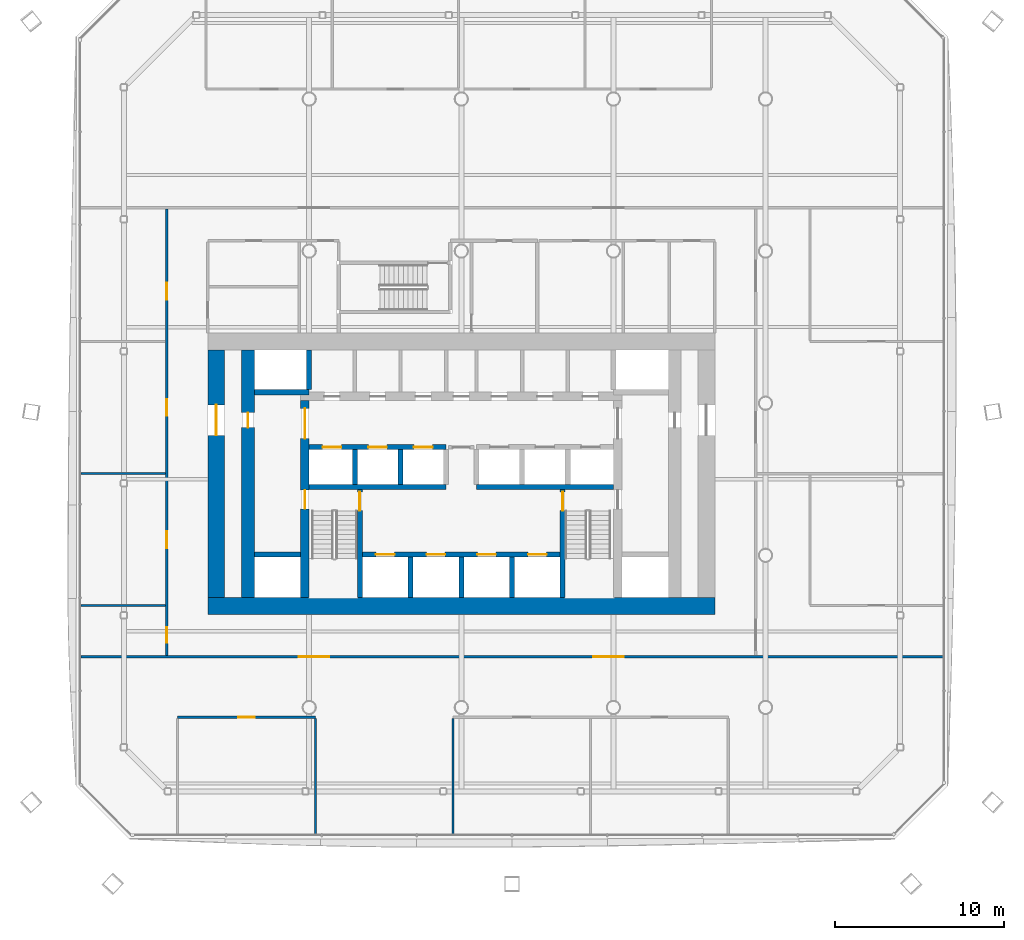
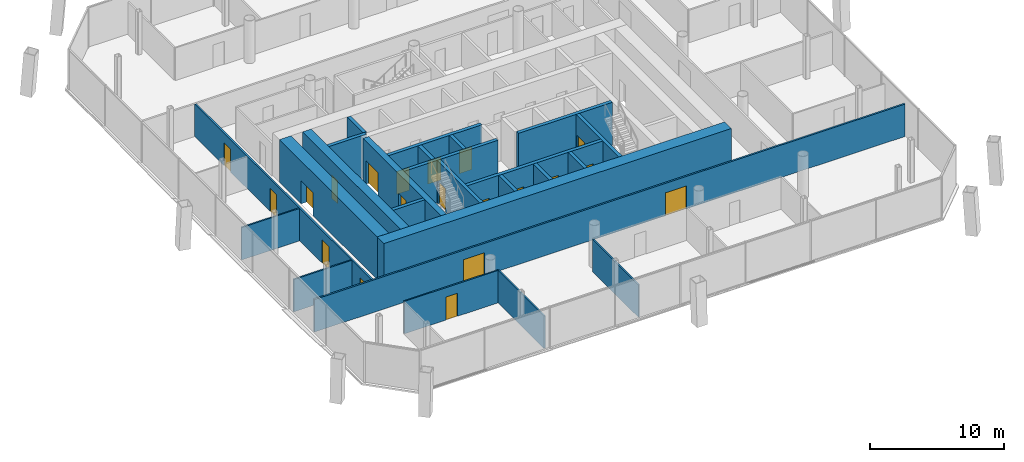
# One storey, part 12 of 20: 25 walls, 20 doors, 20 openings.
"""IFC4 building model written with IfcOpenShell, lengths in metres."""

from ifc_helpers import new_model, si_unit, direction, frame, frame_2d, origin, place, context, subcontext, project, spatial, rectangle, extrude, material, layer, layer_set, type_object, element, fill, save


model = new_model("IFC4")

# Units and contexts
model_context = context("Model", 3, precision=1e-05, world=origin(), true_north=direction((0.0, 1.0)))
body_context = subcontext(model_context, "Body", "Model", "MODEL_VIEW")
ifc_project = project(units=[si_unit("LENGTHUNIT", "METRE"), si_unit("AREAUNIT", "SQUARE_METRE"), si_unit("VOLUMEUNIT", "CUBIC_METRE"), si_unit("PLANEANGLEUNIT", "RADIAN"), si_unit("MASSUNIT", "GRAM", prefix="KILO")], contexts=[model_context])

# Site, building, storey
site_placement = place(None, origin())
site = spatial("IfcSite", under=ifc_project, at=site_placement, CompositionType="ELEMENT")
building_placement = place(site_placement, origin())
building = spatial("IfcBuilding", under=site, at=building_placement, Name="Tskaro Facet Tower", CompositionType="ELEMENT")
storey_placement = place(building_placement, frame((0.0, 0.0, 66.0)))
storey = spatial("IfcBuildingStorey", under=building, at=storey_placement, Name="L15", CompositionType="ELEMENT", Elevation=66.0)

# Wall
ifc_material_1 = material(Name="Concrete C60/75", Category="concrete")
ifc_layer_1 = layer(ifc_material_1, 0.300048828125, Name="Concrete C60/75")
ifc_layer_set_1 = layer_set([ifc_layer_1], Name="Concrete C60/75")
wall_type_1 = type_object("IfcWallType", Name="CORE-SHAFT", PredefinedType="SHEAR", material=ifc_layer_set_1)
wall_1_placement = place(storey_placement, frame((-12.25, -8.949951171875, 0.0), z_axis=(0.0, 0.0, 1.0), x_axis=(1.0, 0.0, 0.0)))
element("IfcWall", 1, at=wall_1_placement, inside=storey, type_object=wall_type_1, Name="Shaft wall W006", PredefinedType="SHEAR", context=body_context, shape_type="SweptSolid", body=[
    extrude(rectangle(XDim=2.75, YDim=0.300048828125, at=frame_2d((1.375, 0.0))), origin(), (0.0, 0.0, 1.0), 3.89990234375),
])

# Wall, openings, doors
wall_2_placement = place(storey_placement, frame((-5.85009765625, -8.949951171875, 0.0), z_axis=(0.0, 0.0, 1.0), x_axis=(1.0, 0.0, 0.0)))
wall_2 = element("IfcWall", 2, at=wall_2_placement, inside=storey, type_object=wall_type_1, Name="Shaft wall W007", PredefinedType="SHEAR", context=body_context, shape_type="SweptSolid", body=[
    extrude(rectangle(XDim=11.7001953125, YDim=0.300048828125, at=frame_2d((5.85009765625, 0.0))), origin(), (0.0, 0.0, 1.0), 3.89990234375),
])
opening_1_placement = place(wall_2_placement, frame((0.800048828125, 0.0, 0.0)))
opening_1 = element("IfcOpeningElement", 3, at=opening_1_placement, cuts=wall_2, Name="Opening LD-FF1", PredefinedType="OPENING", context=body_context, shape_type="SweptSolid", body=[
    extrude(rectangle(XDim=1.10009765625, YDim=2.10009765625, at=frame_2d((0.550048828125, 1.050048828125))), frame((0.0, 0.159912109375, 0.0), z_axis=(0.0, -1.0, 0.0), x_axis=(1.0, 0.0, 0.0)), (0.0, 0.0, 1.0), 0.320068359375),
])
opening_2_placement = place(wall_2_placement, frame((3.800048828125, 0.0, 0.0)))
opening_2 = element("IfcOpeningElement", 4, at=opening_2_placement, cuts=wall_2, Name="Opening LD-FF2", PredefinedType="OPENING", context=body_context, shape_type="SweptSolid", body=[
    extrude(rectangle(XDim=1.10009765625, YDim=2.10009765625, at=frame_2d((0.550048828125, 1.050048828125))), frame((0.0, 0.159912109375, 0.0), z_axis=(0.0, -1.0, 0.0), x_axis=(1.0, 0.0, 0.0)), (0.0, 0.0, 1.0), 0.320068359375),
])
opening_3_placement = place(wall_2_placement, frame((6.800048828125, 0.0, 0.0)))
opening_3 = element("IfcOpeningElement", 5, at=opening_3_placement, cuts=wall_2, Name="Opening LD-SV1", PredefinedType="OPENING", context=body_context, shape_type="SweptSolid", body=[
    extrude(rectangle(XDim=1.10009765625, YDim=2.10009765625, at=frame_2d((0.550048828125, 1.050048828125))), frame((0.0, 0.159912109375, 0.0), z_axis=(0.0, -1.0, 0.0), x_axis=(1.0, 0.0, 0.0)), (0.0, 0.0, 1.0), 0.320068359375),
])
opening_4_placement = place(wall_2_placement, frame((9.800048828125, 0.0, 0.0)))
opening_4 = element("IfcOpeningElement", 6, at=opening_4_placement, cuts=wall_2, Name="Opening LD-SV2", PredefinedType="OPENING", context=body_context, shape_type="SweptSolid", body=[
    extrude(rectangle(XDim=1.10009765625, YDim=2.10009765625, at=frame_2d((0.550048828125, 1.050048828125))), frame((0.0, 0.159912109375, 0.0), z_axis=(0.0, -1.0, 0.0), x_axis=(1.0, 0.0, 0.0)), (0.0, 0.0, 1.0), 0.320068359375),
])
ifc_material_2 = material(Name="Stainless steel", Category="steel")
door_type_1 = type_object("IfcDoorType", Name="D-LANDING", OperationType="NOTDEFINED", PredefinedType="DOOR", material=ifc_material_2)
door_1_placement = place(opening_1_placement, origin())
door_1 = element("IfcDoor", 7, at=door_1_placement, inside=storey, type_object=door_type_1, Name="Landing door FF1", OperationType="DOUBLE_DOOR_SLIDING", OverallHeight=2.10009765625, OverallWidth=1.10009765625, PredefinedType="DOOR", context=body_context, shape_type="SweptSolid", body=[
    extrude(rectangle(XDim=1.10009765625, YDim=2.10009765625, at=frame_2d((0.550048828125, 1.050048828125))), frame((0.0, 0.02490234375, 0.0), z_axis=(0.0, -1.0, 0.0), x_axis=(1.0, 0.0, 0.0)), (0.0, 0.0, 1.0), 0.050048828125),
])
fill(opening_1, door_1)
door_2_placement = place(opening_2_placement, origin())
door_2 = element("IfcDoor", 8, at=door_2_placement, inside=storey, type_object=door_type_1, Name="Landing door FF2", OperationType="DOUBLE_DOOR_SLIDING", OverallHeight=2.10009765625, OverallWidth=1.10009765625, PredefinedType="DOOR", context=body_context, shape_type="SweptSolid", body=[
    extrude(rectangle(XDim=1.10009765625, YDim=2.10009765625, at=frame_2d((0.550048828125, 1.050048828125))), frame((0.0, 0.02490234375, 0.0), z_axis=(0.0, -1.0, 0.0), x_axis=(1.0, 0.0, 0.0)), (0.0, 0.0, 1.0), 0.050048828125),
])
fill(opening_2, door_2)
door_3_placement = place(opening_3_placement, origin())
door_3 = element("IfcDoor", 9, at=door_3_placement, inside=storey, type_object=door_type_1, Name="Landing door SV1", OperationType="DOUBLE_DOOR_SLIDING", OverallHeight=2.10009765625, OverallWidth=1.10009765625, PredefinedType="DOOR", context=body_context, shape_type="SweptSolid", body=[
    extrude(rectangle(XDim=1.10009765625, YDim=2.10009765625, at=frame_2d((0.550048828125, 1.050048828125))), frame((0.0, 0.02490234375, 0.0), z_axis=(0.0, -1.0, 0.0), x_axis=(1.0, 0.0, 0.0)), (0.0, 0.0, 1.0), 0.050048828125),
])
fill(opening_3, door_3)
door_4_placement = place(opening_4_placement, origin())
door_4 = element("IfcDoor", 10, at=door_4_placement, inside=storey, type_object=door_type_1, Name="Landing door SV2", OperationType="DOUBLE_DOOR_SLIDING", OverallHeight=2.10009765625, OverallWidth=1.10009765625, PredefinedType="DOOR", context=body_context, shape_type="SweptSolid", body=[
    extrude(rectangle(XDim=1.10009765625, YDim=2.10009765625, at=frame_2d((0.550048828125, 1.050048828125))), frame((0.0, 0.02490234375, 0.0), z_axis=(0.0, -1.0, 0.0), x_axis=(1.0, 0.0, 0.0)), (0.0, 0.0, 1.0), 0.050048828125),
])
fill(opening_4, door_4)

# Walls
for number, where, z_axis, x_axis, name in (
    (11, (-9.0, -4.949951171875, 0.0), (0.0, 0.0, 1.0), (1.0, 0.0, 0.0), "Shaft wall W009"),
    (12, (0.89990234375, -4.949951171875, 0.0), (0.0, 0.0, 1.0), (1.0, 0.0, 0.0), "Shaft wall W010"),
):
    element("IfcWall", number, at=place(storey_placement, frame(where, z_axis=z_axis, x_axis=x_axis)), inside=storey, type_object=wall_type_1, Name=name, PredefinedType="SHEAR", context=body_context, shape_type="SweptSolid", body=[
        extrude(rectangle(XDim=8.10009765625, YDim=0.300048828125, at=frame_2d((4.050048828125, 0.0))), origin(), (0.0, 0.0, 1.0), 3.89990234375),
    ])

# Wall, openings, doors
wall_3_placement = place(storey_placement, frame((-9.0, -2.60009765625, 0.0), z_axis=(0.0, 0.0, 1.0), x_axis=(1.0, 0.0, 0.0)))
wall_3 = element("IfcWall", 13, at=wall_3_placement, inside=storey, type_object=wall_type_1, Name="Shaft wall W013", PredefinedType="SHEAR", context=body_context, shape_type="SweptSolid", body=[
    extrude(rectangle(XDim=8.10009765625, YDim=0.300048828125, at=frame_2d((4.050048828125, 0.0))), origin(), (0.0, 0.0, 1.0), 3.89990234375),
])
opening_5_placement = place(wall_3_placement, frame((0.800048828125, 0.0, 0.0)))
opening_5 = element("IfcOpeningElement", 14, at=opening_5_placement, cuts=wall_3, Name="Opening LD-LR1", PredefinedType="OPENING", context=body_context, shape_type="SweptSolid", body=[
    extrude(rectangle(XDim=1.10009765625, YDim=2.10009765625, at=frame_2d((0.550048828125, 1.050048828125))), frame((0.0, 0.159912109375, 0.0), z_axis=(0.0, -1.0, 0.0), x_axis=(1.0, 0.0, 0.0)), (0.0, 0.0, 1.0), 0.320068359375),
])
opening_6_placement = place(wall_3_placement, frame((3.5, 0.0, 0.0)))
opening_6 = element("IfcOpeningElement", 15, at=opening_6_placement, cuts=wall_3, Name="Opening LD-LR2", PredefinedType="OPENING", context=body_context, shape_type="SweptSolid", body=[
    extrude(rectangle(XDim=1.10009765625, YDim=2.10009765625, at=frame_2d((0.550048828125, 1.050048828125))), frame((0.0, 0.159912109375, 0.0), z_axis=(0.0, -1.0, 0.0), x_axis=(1.0, 0.0, 0.0)), (0.0, 0.0, 1.0), 0.320068359375),
])
opening_7_placement = place(wall_3_placement, frame((6.199951171875, 0.0, 0.0)))
opening_7 = element("IfcOpeningElement", 16, at=opening_7_placement, cuts=wall_3, Name="Opening LD-LR3", PredefinedType="OPENING", context=body_context, shape_type="SweptSolid", body=[
    extrude(rectangle(XDim=1.10009765625, YDim=2.10009765625, at=frame_2d((0.550048828125, 1.050048828125))), frame((0.0, 0.159912109375, 0.0), z_axis=(0.0, -1.0, 0.0), x_axis=(1.0, 0.0, 0.0)), (0.0, 0.0, 1.0), 0.320068359375),
])
door_5_placement = place(opening_5_placement, origin())
door_5 = element("IfcDoor", 17, at=door_5_placement, inside=storey, type_object=door_type_1, Name="Landing door LR1", OperationType="DOUBLE_DOOR_SLIDING", OverallHeight=2.10009765625, OverallWidth=1.10009765625, PredefinedType="DOOR", context=body_context, shape_type="SweptSolid", body=[
    extrude(rectangle(XDim=1.10009765625, YDim=2.10009765625, at=frame_2d((0.550048828125, 1.050048828125))), frame((0.0, 0.02490234375, 0.0), z_axis=(0.0, -1.0, 0.0), x_axis=(1.0, 0.0, 0.0)), (0.0, 0.0, 1.0), 0.050048828125),
])
fill(opening_5, door_5)
door_6_placement = place(opening_6_placement, origin())
door_6 = element("IfcDoor", 18, at=door_6_placement, inside=storey, type_object=door_type_1, Name="Landing door LR2", OperationType="DOUBLE_DOOR_SLIDING", OverallHeight=2.10009765625, OverallWidth=1.10009765625, PredefinedType="DOOR", context=body_context, shape_type="SweptSolid", body=[
    extrude(rectangle(XDim=1.10009765625, YDim=2.10009765625, at=frame_2d((0.550048828125, 1.050048828125))), frame((0.0, 0.02490234375, 0.0), z_axis=(0.0, -1.0, 0.0), x_axis=(1.0, 0.0, 0.0)), (0.0, 0.0, 1.0), 0.050048828125),
])
fill(opening_6, door_6)
door_7_placement = place(opening_7_placement, origin())
door_7 = element("IfcDoor", 19, at=door_7_placement, inside=storey, type_object=door_type_1, Name="Landing door LR3", OperationType="DOUBLE_DOOR_SLIDING", OverallHeight=2.10009765625, OverallWidth=1.10009765625, PredefinedType="DOOR", context=body_context, shape_type="SweptSolid", body=[
    extrude(rectangle(XDim=1.10009765625, YDim=2.10009765625, at=frame_2d((0.550048828125, 1.050048828125))), frame((0.0, 0.02490234375, 0.0), z_axis=(0.0, -1.0, 0.0), x_axis=(1.0, 0.0, 0.0)), (0.0, 0.0, 1.0), 0.050048828125),
])
fill(opening_7, door_7)

# Walls
wall_4_placement = place(storey_placement, frame((-9.0, 0.64990234375, 0.0), z_axis=(0.0, 0.0, 1.0), x_axis=(-1.0, 0.0, 0.0)))
element("IfcWall", 20, at=wall_4_placement, inside=storey, type_object=wall_type_1, Name="Shaft wall W016", PredefinedType="SHEAR", context=body_context, shape_type="SweptSolid", body=[
    extrude(rectangle(XDim=3.25, YDim=0.300048828125, at=frame_2d((1.625, 0.0))), origin(), (0.0, 0.0, 1.0), 3.89990234375),
])
wall_5_placement = place(storey_placement, frame((-9.0, 0.800048828125, 0.0), z_axis=(0.0, 0.0, 1.0), x_axis=(0.0, 1.0, 0.0)))
element("IfcWall", 21, at=wall_5_placement, inside=storey, type_object=wall_type_1, Name="Shaft wall W033", PredefinedType="SHEAR", context=body_context, shape_type="SweptSolid", body=[
    extrude(rectangle(XDim=2.349853515625, YDim=0.300048828125, at=frame_2d((1.1748046875, 0.0))), origin(), (0.0, 0.0, 1.0), 3.89990234375),
])
wall_6_placement = place(storey_placement, frame((-6.300048828125, -4.800048828125, 0.0), z_axis=(0.0, 0.0, 1.0), x_axis=(0.0, 1.0, 0.0)))
element("IfcWall", 22, at=wall_6_placement, inside=storey, type_object=wall_type_1, Name="Shaft wall W039", PredefinedType="SHEAR", context=body_context, shape_type="SweptSolid", body=[
    extrude(rectangle(XDim=2.050048828125, YDim=0.300048828125, at=frame_2d((1.02490234375, 0.0))), origin(), (0.0, 0.0, 1.0), 3.89990234375),
])

# Wall, opening, door
wall_7_placement = place(storey_placement, frame((-6.0, -11.5, 0.0), z_axis=(0.0, 0.0, 1.0), x_axis=(0.0, 1.0, 0.0)))
wall_7 = element("IfcWall", 23, at=wall_7_placement, inside=storey, type_object=wall_type_1, Name="Shaft wall W041", PredefinedType="SHEAR", context=body_context, shape_type="SweptSolid", body=[
    extrude(rectangle(XDim=6.39990234375, YDim=0.300048828125, at=frame_2d((3.199951171875, 0.0))), origin(), (0.0, 0.0, 1.0), 3.89990234375),
])
opening_8_placement = place(wall_7_placement, frame((5.14990234375, 0.0, 0.0)))
opening_8 = element("IfcOpeningElement", 24, at=opening_8_placement, cuts=wall_7, Name="Opening ST-1-D1", PredefinedType="OPENING", context=body_context, shape_type="SweptSolid", body=[
    extrude(rectangle(XDim=1.10009765625, YDim=2.10009765625, at=frame_2d((0.550048828125, 1.050048828125))), frame((0.0, 0.159912109375, 0.0), z_axis=(0.0, -1.0, 0.0), x_axis=(1.0, 0.0, 0.0)), (0.0, 0.0, 1.0), 0.320068359375),
])
ifc_material_3 = material(Name="Steel", Category="steel")
door_type_2 = type_object("IfcDoorType", Name="D-STAIR", OperationType="NOTDEFINED", PredefinedType="DOOR", material=ifc_material_3)
door_8_placement = place(opening_8_placement, origin())
door_8 = element("IfcDoor", 25, at=door_8_placement, inside=storey, type_object=door_type_2, Name="Stair door 1", OperationType="SINGLE_SWING_LEFT", OverallHeight=2.10009765625, OverallWidth=1.10009765625, PredefinedType="DOOR", context=body_context, shape_type="SweptSolid", body=[
    extrude(rectangle(XDim=1.10009765625, YDim=2.10009765625, at=frame_2d((0.550048828125, 1.050048828125))), frame((0.0, 0.02490234375, 0.0), z_axis=(0.0, -1.0, 0.0), x_axis=(1.0, 0.0, 0.0)), (0.0, 0.0, 1.0), 0.050048828125),
])
fill(opening_8, door_8)

# Walls
wall_8_placement = place(storey_placement, frame((-3.60009765625, -4.800048828125, 0.0), z_axis=(0.0, 0.0, 1.0), x_axis=(0.0, 1.0, 0.0)))
element("IfcWall", 26, at=wall_8_placement, inside=storey, type_object=wall_type_1, Name="Shaft wall W042", PredefinedType="SHEAR", context=body_context, shape_type="SweptSolid", body=[
    extrude(rectangle(XDim=2.050048828125, YDim=0.300048828125, at=frame_2d((1.02490234375, 0.0))), origin(), (0.0, 0.0, 1.0), 3.89990234375),
])
for number, where, z_axis, x_axis, name in (
    (27, (-3.0, -11.5, 0.0), (0.0, 0.0, 1.0), (0.0, 1.0, 0.0), "Shaft wall W044"),
    (28, (0.0, -11.5, 0.0), (0.0, 0.0, 1.0), (0.0, 1.0, 0.0), "Shaft wall W051"),
    (29, (3.0, -11.5, 0.0), (0.0, 0.0, 1.0), (0.0, 1.0, 0.0), "Shaft wall W055"),
):
    element("IfcWall", number, at=place(storey_placement, frame(where, z_axis=z_axis, x_axis=x_axis)), inside=storey, type_object=wall_type_1, Name=name, PredefinedType="SHEAR", context=body_context, shape_type="SweptSolid", body=[
        extrude(rectangle(XDim=2.39990234375, YDim=0.300048828125, at=frame_2d((1.199951171875, 0.0))), origin(), (0.0, 0.0, 1.0), 3.89990234375),
    ])

# Wall, opening, door
wall_9_placement = place(storey_placement, frame((6.0, -5.10009765625, 0.0), z_axis=(0.0, 0.0, 1.0), x_axis=(0.0, -1.0, 0.0)))
wall_9 = element("IfcWall", 30, at=wall_9_placement, inside=storey, type_object=wall_type_1, Name="Shaft wall W059", PredefinedType="SHEAR", context=body_context, shape_type="SweptSolid", body=[
    extrude(rectangle(XDim=6.39990234375, YDim=0.300048828125, at=frame_2d((3.199951171875, 0.0))), origin(), (0.0, 0.0, 1.0), 3.89990234375),
])
opening_9_placement = place(wall_9_placement, frame((0.14990234375, 0.0, 0.0)))
opening_9 = element("IfcOpeningElement", 31, at=opening_9_placement, cuts=wall_9, Name="Opening ST-2-D1", PredefinedType="OPENING", context=body_context, shape_type="SweptSolid", body=[
    extrude(rectangle(XDim=1.10009765625, YDim=2.10009765625, at=frame_2d((0.550048828125, 1.050048828125))), frame((0.0, 0.159912109375, 0.0), z_axis=(0.0, -1.0, 0.0), x_axis=(1.0, 0.0, 0.0)), (0.0, 0.0, 1.0), 0.320068359375),
])
door_9_placement = place(opening_9_placement, origin())
door_9 = element("IfcDoor", 32, at=door_9_placement, inside=storey, type_object=door_type_2, Name="Stair door 2", OperationType="SINGLE_SWING_RIGHT", OverallHeight=2.10009765625, OverallWidth=1.10009765625, PredefinedType="DOOR", context=body_context, shape_type="SweptSolid", body=[
    extrude(rectangle(XDim=1.10009765625, YDim=2.10009765625, at=frame_2d((0.550048828125, 1.050048828125))), frame((0.0, 0.02490234375, 0.0), z_axis=(0.0, -1.0, 0.0), x_axis=(1.0, 0.0, 0.0)), (0.0, 0.0, 1.0), 0.050048828125),
])
fill(opening_9, door_9)

# Wall
ifc_layer_2 = layer(ifc_material_1, 1.0, Name="Concrete C60/75")
ifc_layer_set_2 = layer_set([ifc_layer_2], Name="Concrete C60/75")
wall_type_2 = type_object("IfcWallType", Name="Core wall 1000", PredefinedType="SHEAR", material=ifc_layer_set_2)
wall_10_placement = place(storey_placement, frame((-15.0, -12.0, 0.0), z_axis=(0.0, 0.0, 1.0), x_axis=(1.0, 0.0, 0.0)))
element("IfcWall", 33, at=wall_10_placement, inside=storey, type_object=wall_type_2, Name="Core wall CW-Z1S", PredefinedType="SHEAR", context=body_context, shape_type="SweptSolid", body=[
    extrude(rectangle(XDim=30.0, YDim=1.0, at=frame_2d((15.0, 0.0))), origin(), (0.0, 0.0, 1.0), 3.89990234375),
])

# Wall, opening, door
wall_11_placement = place(storey_placement, frame((-14.5, -11.5, 0.0), z_axis=(0.0, 0.0, 1.0), x_axis=(0.0, 1.0, 0.0)))
wall_11 = element("IfcWall", 34, at=wall_11_placement, inside=storey, type_object=wall_type_2, Name="Core wall CW-Z1W", PredefinedType="SHEAR", context=body_context, shape_type="SweptSolid", body=[
    extrude(rectangle(XDim=14.64990234375, YDim=1.0, at=frame_2d((7.324951171875, 0.0))), origin(), (0.0, 0.0, 1.0), 3.89990234375),
])
opening_10_placement = place(wall_11_placement, frame((9.60009765625, 0.0, 0.0)))
opening_10 = element("IfcOpeningElement", 35, at=opening_10_placement, cuts=wall_11, Name="Opening T4-D15", PredefinedType="OPENING", context=body_context, shape_type="SweptSolid", body=[
    extrude(rectangle(XDim=1.800048828125, YDim=2.10009765625, at=frame_2d((0.89990234375, 1.050048828125))), frame((0.0, 0.510009765625, 0.0), z_axis=(0.0, -1.0, 0.0), x_axis=(1.0, 0.0, 0.0)), (0.0, 0.0, 1.0), 1.02001953125),
])
door_type_3 = type_object("IfcDoorType", Name="D-CORE-PAIR", OperationType="NOTDEFINED", PredefinedType="DOOR", material=ifc_material_3)
door_10_placement = place(opening_10_placement, origin())
door_10 = element("IfcDoor", 36, at=door_10_placement, inside=storey, type_object=door_type_3, Name="Door T4-D15", OperationType="DOUBLE_DOOR_SINGLE_SWING", OverallHeight=2.10009765625, OverallWidth=1.800048828125, PredefinedType="DOOR", context=body_context, shape_type="SweptSolid", body=[
    extrude(rectangle(XDim=1.800048828125, YDim=2.10009765625, at=frame_2d((0.89990234375, 1.050048828125))), frame((0.0, 0.02490234375, 0.0), z_axis=(0.0, -1.0, 0.0), x_axis=(1.0, 0.0, 0.0)), (0.0, 0.0, 1.0), 0.050048828125),
])
fill(opening_10, door_10)

# Wall, openings, doors
ifc_material_4 = material(Name="Concrete C40/50", Category="concrete")
ifc_layer_3 = layer(ifc_material_4, 0.5, Name="Concrete C40/50")
ifc_layer_set_3 = layer_set([ifc_layer_3], Name="Concrete C40/50")
wall_type_3 = type_object("IfcWallType", Name="Core wall 500", PredefinedType="SHEAR", material=ifc_layer_set_3)
wall_12_placement = place(storey_placement, frame((-9.25, -11.5, 0.0), z_axis=(0.0, 0.0, 1.0), x_axis=(0.0, 1.0, 0.0)))
wall_12 = element("IfcWall", 37, at=wall_12_placement, inside=storey, type_object=wall_type_3, Name="Core wall CW-Z3W", PredefinedType="SHEAR", context=body_context, shape_type="SweptSolid", body=[
    extrude(rectangle(XDim=11.64990234375, YDim=0.5, at=frame_2d((5.824951171875, 0.0))), origin(), (0.0, 0.0, 1.0), 3.89990234375),
])
opening_11_placement = place(wall_12_placement, frame((9.39990234375, 0.0, 0.0)))
opening_11 = element("IfcOpeningElement", 38, at=opening_11_placement, cuts=wall_12, Name="Opening T4-D13", PredefinedType="OPENING", context=body_context, shape_type="SweptSolid", body=[
    extrude(rectangle(XDim=1.800048828125, YDim=2.10009765625, at=frame_2d((0.89990234375, 1.050048828125))), frame((0.0, 0.260009765625, 0.0), z_axis=(0.0, -1.0, 0.0), x_axis=(1.0, 0.0, 0.0)), (0.0, 0.0, 1.0), 0.52001953125),
])
opening_12_placement = place(wall_12_placement, frame((5.25, 0.0, 0.0)))
opening_12 = element("IfcOpeningElement", 39, at=opening_12_placement, cuts=wall_12, Name="Opening ST-1-D2", PredefinedType="OPENING", context=body_context, shape_type="SweptSolid", body=[
    extrude(rectangle(XDim=1.10009765625, YDim=2.10009765625, at=frame_2d((0.550048828125, 1.050048828125))), frame((0.0, 0.260009765625, 0.0), z_axis=(0.0, -1.0, 0.0), x_axis=(1.0, 0.0, 0.0)), (0.0, 0.0, 1.0), 0.52001953125),
])
door_11_placement = place(opening_11_placement, origin())
door_11 = element("IfcDoor", 40, at=door_11_placement, inside=storey, type_object=door_type_3, Name="Door T4-D13", OperationType="DOUBLE_DOOR_SINGLE_SWING", OverallHeight=2.10009765625, OverallWidth=1.800048828125, PredefinedType="DOOR", context=body_context, shape_type="SweptSolid", body=[
    extrude(rectangle(XDim=1.800048828125, YDim=2.10009765625, at=frame_2d((0.89990234375, 1.050048828125))), frame((0.0, 0.02490234375, 0.0), z_axis=(0.0, -1.0, 0.0), x_axis=(1.0, 0.0, 0.0)), (0.0, 0.0, 1.0), 0.050048828125),
])
fill(opening_11, door_11)
door_12_placement = place(opening_12_placement, origin())
door_12 = element("IfcDoor", 41, at=door_12_placement, inside=storey, type_object=door_type_2, Name="Stair door 1 west", OperationType="SINGLE_SWING_LEFT", OverallHeight=2.10009765625, OverallWidth=1.10009765625, PredefinedType="DOOR", context=body_context, shape_type="SweptSolid", body=[
    extrude(rectangle(XDim=1.10009765625, YDim=2.10009765625, at=frame_2d((0.550048828125, 1.050048828125))), frame((0.0, 0.02490234375, 0.0), z_axis=(0.0, -1.0, 0.0), x_axis=(1.0, 0.0, 0.0)), (0.0, 0.0, 1.0), 0.050048828125),
])
fill(opening_12, door_12)

# Wall, opening, door
ifc_material_5 = material(Name="Concrete C50/60", Category="concrete")
ifc_layer_4 = layer(ifc_material_5, 0.75, Name="Concrete C50/60")
ifc_layer_set_4 = layer_set([ifc_layer_4], Name="Concrete C50/60")
wall_type_4 = type_object("IfcWallType", Name="Core wall 750", PredefinedType="SHEAR", material=ifc_layer_set_4)
wall_13_placement = place(storey_placement, frame((-12.625, -11.5, 0.0), z_axis=(0.0, 0.0, 1.0), x_axis=(0.0, 1.0, 0.0)))
wall_13 = element("IfcWall", 42, at=wall_13_placement, inside=storey, type_object=wall_type_4, Name="Core wall CW-Z2W", PredefinedType="SHEAR", context=body_context, shape_type="SweptSolid", body=[
    extrude(rectangle(XDim=14.64990234375, YDim=0.75, at=frame_2d((7.324951171875, 0.0))), origin(), (0.0, 0.0, 1.0), 3.89990234375),
])
opening_13_placement = place(wall_13_placement, frame((10.050048828125, 0.0, 0.0)))
opening_13 = element("IfcOpeningElement", 43, at=opening_13_placement, cuts=wall_13, Name="Opening T4-D16", PredefinedType="OPENING", context=body_context, shape_type="SweptSolid", body=[
    extrude(rectangle(XDim=0.89990234375, YDim=2.10009765625, at=frame_2d((0.449951171875, 1.050048828125))), frame((0.0, 0.385009765625, 0.0), z_axis=(0.0, -1.0, 0.0), x_axis=(1.0, 0.0, 0.0)), (0.0, 0.0, 1.0), 0.77001953125),
])
ifc_material_6 = material(Name="Timber", Category="wood")
door_type_4 = type_object("IfcDoorType", Name="D-ROOM", OperationType="NOTDEFINED", PredefinedType="DOOR", material=ifc_material_6)
door_13_placement = place(opening_13_placement, origin())
door_13 = element("IfcDoor", 44, at=door_13_placement, inside=storey, type_object=door_type_4, Name="Door T4-D16", OperationType="SINGLE_SWING_LEFT", OverallHeight=2.10009765625, OverallWidth=0.89990234375, PredefinedType="DOOR", context=body_context, shape_type="SweptSolid", body=[
    extrude(rectangle(XDim=0.89990234375, YDim=2.10009765625, at=frame_2d((0.449951171875, 1.050048828125))), frame((0.0, 0.02490234375, 0.0), z_axis=(0.0, -1.0, 0.0), x_axis=(1.0, 0.0, 0.0)), (0.0, 0.0, 1.0), 0.050048828125),
])
fill(opening_13, door_13)

ifc_material_7 = material(Name="Gypsum board on steel studs", Category="steel")
ifc_layer_5 = layer(ifc_material_7, 0.125, Name="Gypsum board on steel studs")
ifc_layer_set_5 = layer_set([ifc_layer_5], Name="Gypsum board on steel studs")
wall_type_5 = type_object("IfcWallType", Name="PART", PredefinedType="PARTITIONING", material=ifc_layer_set_5)
wall_14_placement = place(storey_placement, frame((-8.637939453125, -18.580078125, 0.0), z_axis=(0.0, 0.0, 1.0), x_axis=(-1.0, 0.0, 0.0)))
wall_14 = element("IfcWall", 45, at=wall_14_placement, inside=storey, type_object=wall_type_5, Name="Partition W001", PredefinedType="PARTITIONING", context=body_context, shape_type="SweptSolid", body=[
    extrude(rectangle(XDim=8.14599609375, YDim=0.125, at=frame_2d((4.072998046875, 0.0))), origin(), (0.0, 0.0, 1.0), 2.9599609375),
])
opening_14_placement = place(wall_14_placement, frame((3.572998046875, 0.0, 0.0)))
opening_14 = element("IfcOpeningElement", 46, at=opening_14_placement, cuts=wall_14, Name="Opening T4-D01", PredefinedType="OPENING", context=body_context, shape_type="SweptSolid", body=[
    extrude(rectangle(XDim=1.0, YDim=2.10009765625, at=frame_2d((0.5, 1.050048828125))), frame((0.0, 0.072509765625, 0.0), z_axis=(0.0, -1.0, 0.0), x_axis=(1.0, 0.0, 0.0)), (0.0, 0.0, 1.0), 0.14501953125),
])
door_type_5 = type_object("IfcDoorType", Name="D-ROOM-WIDE", OperationType="NOTDEFINED", PredefinedType="DOOR", material=ifc_material_6)
door_14_placement = place(opening_14_placement, origin())
door_14 = element("IfcDoor", 47, at=door_14_placement, inside=storey, type_object=door_type_5, Name="Door T4-D01", OperationType="SINGLE_SWING_RIGHT", OverallHeight=2.10009765625, OverallWidth=1.0, PredefinedType="DOOR", context=body_context, shape_type="SweptSolid", body=[
    extrude(rectangle(XDim=1.0, YDim=2.10009765625, at=frame_2d((0.5, 1.050048828125))), frame((0.0, 0.02490234375, 0.0), z_axis=(0.0, -1.0, 0.0), x_axis=(1.0, 0.0, 0.0)), (0.0, 0.0, 1.0), 0.050048828125),
])
fill(opening_14, door_14)

# Walls
for number, where, z_axis, x_axis, name in (
    (48, (-22.509033203125, -11.972900390625, 0.0), (0.0, 0.0, 1.0), (1.0, 0.0, 0.0), "Partition W004"),
    (49, (-22.509033203125, -4.162109375, 0.0), (0.0, 0.0, 1.0), (1.0, 0.0, 0.0), "Partition W011"),
):
    element("IfcWall", number, at=place(storey_placement, frame(where, z_axis=z_axis, x_axis=x_axis)), inside=storey, type_object=wall_type_5, Name=name, PredefinedType="PARTITIONING", context=body_context, shape_type="SweptSolid", body=[
        extrude(rectangle(XDim=5.009033203125, YDim=0.125, at=frame_2d((2.50439453125, 0.0))), origin(), (0.0, 0.0, 1.0), 2.9599609375),
    ])
for number, where, z_axis, x_axis, name in (
    (50, (-8.637939453125, -25.509033203125, 0.0), (0.0, 0.0, 1.0), (0.0, 1.0, 0.0), "Partition W034"),
    (51, (-0.492919921875, -25.509033203125, 0.0), (0.0, 0.0, 1.0), (0.0, 1.0, 0.0), "Partition W049"),
):
    element("IfcWall", number, at=place(storey_placement, frame(where, z_axis=z_axis, x_axis=x_axis)), inside=storey, type_object=wall_type_5, Name=name, PredefinedType="PARTITIONING", context=body_context, shape_type="SweptSolid", body=[
        extrude(rectangle(XDim=6.866455078125, YDim=0.125, at=frame_2d((3.43310546875, 0.0))), origin(), (0.0, 0.0, 1.0), 2.9599609375),
    ])

# Wall, openings, doors
ifc_layer_6 = layer(ifc_material_7, 0.14990234375, Name="Gypsum board on steel studs")
ifc_layer_set_6 = layer_set([ifc_layer_6], Name="Gypsum board on steel studs")
wall_type_6 = type_object("IfcWallType", Name="PART-CORR", PredefinedType="PARTITIONING", material=ifc_layer_set_6)
wall_15_placement = place(storey_placement, frame((-22.509033203125, -15.0, 0.0), z_axis=(0.0, 0.0, 1.0), x_axis=(1.0, 0.0, 0.0)))
wall_15 = element("IfcWall", 52, at=wall_15_placement, inside=storey, type_object=wall_type_6, Name="Corridor wall W003", PredefinedType="PARTITIONING", context=body_context, shape_type="SweptSolid", body=[
    extrude(rectangle(XDim=51.01806640625, YDim=0.14990234375, at=frame_2d((25.509033203125, 0.0))), origin(), (0.0, 0.0, 1.0), 2.9599609375),
])
opening_15_placement = place(wall_15_placement, frame((12.89599609375, 0.0, 0.0)))
opening_15 = element("IfcOpeningElement", 53, at=opening_15_placement, cuts=wall_15, Name="Opening T4-D04", PredefinedType="OPENING", context=body_context, shape_type="SweptSolid", body=[
    extrude(rectangle(XDim=1.800048828125, YDim=2.10009765625, at=frame_2d((0.89990234375, 1.050048828125))), frame((0.0, 0.0849609375, 0.0), z_axis=(0.0, -1.0, 0.0), x_axis=(1.0, 0.0, 0.0)), (0.0, 0.0, 1.0), 0.169921875),
])
opening_16_placement = place(wall_15_placement, frame((30.322021484375, 0.0, 0.0)))
opening_16 = element("IfcOpeningElement", 54, at=opening_16_placement, cuts=wall_15, Name="Opening T4-D05", PredefinedType="OPENING", context=body_context, shape_type="SweptSolid", body=[
    extrude(rectangle(XDim=1.800048828125, YDim=2.10009765625, at=frame_2d((0.89990234375, 1.050048828125))), frame((0.0, 0.0849609375, 0.0), z_axis=(0.0, -1.0, 0.0), x_axis=(1.0, 0.0, 0.0)), (0.0, 0.0, 1.0), 0.169921875),
])
ifc_material_8 = material(Name="Glass", Category="glass")
door_type_6 = type_object("IfcDoorType", Name="D-ENTRY-PAIR", OperationType="NOTDEFINED", PredefinedType="DOOR", material=ifc_material_8)
door_15_placement = place(opening_15_placement, origin())
door_15 = element("IfcDoor", 55, at=door_15_placement, inside=storey, type_object=door_type_6, Name="Door T4-D04", OperationType="DOUBLE_DOOR_SINGLE_SWING", OverallHeight=2.10009765625, OverallWidth=1.800048828125, PredefinedType="DOOR", context=body_context, shape_type="SweptSolid", body=[
    extrude(rectangle(XDim=1.800048828125, YDim=2.10009765625, at=frame_2d((0.89990234375, 1.050048828125))), frame((0.0, 0.02490234375, 0.0), z_axis=(0.0, -1.0, 0.0), x_axis=(1.0, 0.0, 0.0)), (0.0, 0.0, 1.0), 0.050048828125),
])
fill(opening_15, door_15)
door_16_placement = place(opening_16_placement, origin())
door_16 = element("IfcDoor", 56, at=door_16_placement, inside=storey, type_object=door_type_6, Name="Door T4-D05", OperationType="DOUBLE_DOOR_SINGLE_SWING", OverallHeight=2.10009765625, OverallWidth=1.800048828125, PredefinedType="DOOR", context=body_context, shape_type="SweptSolid", body=[
    extrude(rectangle(XDim=1.800048828125, YDim=2.10009765625, at=frame_2d((0.89990234375, 1.050048828125))), frame((0.0, 0.02490234375, 0.0), z_axis=(0.0, -1.0, 0.0), x_axis=(1.0, 0.0, 0.0)), (0.0, 0.0, 1.0), 0.050048828125),
])
fill(opening_16, door_16)

wall_16_placement = place(storey_placement, frame((-17.425048828125, -14.925048828125, 0.0), z_axis=(0.0, 0.0, 1.0), x_axis=(0.0, 1.0, 0.0)))
wall_16 = element("IfcWall", 57, at=wall_16_placement, inside=storey, type_object=wall_type_6, Name="Corridor wall W028", PredefinedType="PARTITIONING", context=body_context, shape_type="SweptSolid", body=[
    extrude(rectangle(XDim=26.405029296875, YDim=0.14990234375, at=frame_2d((13.20263671875, 0.0))), origin(), (0.0, 0.0, 1.0), 2.9599609375),
])
opening_17_placement = place(wall_16_placement, frame((0.762451171875, 0.0, 0.0)))
opening_17 = element("IfcOpeningElement", 58, at=opening_17_placement, cuts=wall_16, Name="Opening T4-D06", PredefinedType="OPENING", context=body_context, shape_type="SweptSolid", body=[
    extrude(rectangle(XDim=0.89990234375, YDim=2.10009765625, at=frame_2d((0.449951171875, 1.050048828125))), frame((0.0, 0.0849609375, 0.0), z_axis=(0.0, -1.0, 0.0), x_axis=(1.0, 0.0, 0.0)), (0.0, 0.0, 1.0), 0.169921875),
])
opening_18_placement = place(wall_16_placement, frame((6.357421875, 0.0, 0.0)))
opening_18 = element("IfcOpeningElement", 59, at=opening_18_placement, cuts=wall_16, Name="Opening T4-D11", PredefinedType="OPENING", context=body_context, shape_type="SweptSolid", body=[
    extrude(rectangle(XDim=1.0, YDim=2.10009765625, at=frame_2d((0.5, 1.050048828125))), frame((0.0, 0.0849609375, 0.0), z_axis=(0.0, -1.0, 0.0), x_axis=(1.0, 0.0, 0.0)), (0.0, 0.0, 1.0), 0.169921875),
])
opening_19_placement = place(wall_16_placement, frame((14.16796875, 0.0, 0.0)))
opening_19 = element("IfcOpeningElement", 60, at=opening_19_placement, cuts=wall_16, Name="Opening T4-D19", PredefinedType="OPENING", context=body_context, shape_type="SweptSolid", body=[
    extrude(rectangle(XDim=1.0, YDim=2.10009765625, at=frame_2d((0.5, 1.050048828125))), frame((0.0, 0.0849609375, 0.0), z_axis=(0.0, -1.0, 0.0), x_axis=(1.0, 0.0, 0.0)), (0.0, 0.0, 1.0), 0.169921875),
])
opening_20_placement = place(wall_16_placement, frame((21.051513671875, 0.0, 0.0)))
opening_20 = element("IfcOpeningElement", 61, at=opening_20_placement, cuts=wall_16, Name="Opening T4-D32", PredefinedType="OPENING", context=body_context, shape_type="SweptSolid", body=[
    extrude(rectangle(XDim=1.0, YDim=2.10009765625, at=frame_2d((0.5, 1.050048828125))), frame((0.0, 0.0849609375, 0.0), z_axis=(0.0, -1.0, 0.0), x_axis=(1.0, 0.0, 0.0)), (0.0, 0.0, 1.0), 0.169921875),
])
door_17_placement = place(opening_17_placement, origin())
door_17 = element("IfcDoor", 62, at=door_17_placement, inside=storey, type_object=door_type_4, Name="Door T4-D06", OperationType="SINGLE_SWING_LEFT", OverallHeight=2.10009765625, OverallWidth=0.89990234375, PredefinedType="DOOR", context=body_context, shape_type="SweptSolid", body=[
    extrude(rectangle(XDim=0.89990234375, YDim=2.10009765625, at=frame_2d((0.449951171875, 1.050048828125))), frame((0.0, 0.02490234375, 0.0), z_axis=(0.0, -1.0, 0.0), x_axis=(1.0, 0.0, 0.0)), (0.0, 0.0, 1.0), 0.050048828125),
])
fill(opening_17, door_17)
door_18_placement = place(opening_18_placement, origin())
door_18 = element("IfcDoor", 63, at=door_18_placement, inside=storey, type_object=door_type_5, Name="Door T4-D11", OperationType="SINGLE_SWING_LEFT", OverallHeight=2.10009765625, OverallWidth=1.0, PredefinedType="DOOR", context=body_context, shape_type="SweptSolid", body=[
    extrude(rectangle(XDim=1.0, YDim=2.10009765625, at=frame_2d((0.5, 1.050048828125))), frame((0.0, 0.02490234375, 0.0), z_axis=(0.0, -1.0, 0.0), x_axis=(1.0, 0.0, 0.0)), (0.0, 0.0, 1.0), 0.050048828125),
])
fill(opening_18, door_18)
door_19_placement = place(opening_19_placement, origin())
door_19 = element("IfcDoor", 64, at=door_19_placement, inside=storey, type_object=door_type_5, Name="Door T4-D19", OperationType="SINGLE_SWING_LEFT", OverallHeight=2.10009765625, OverallWidth=1.0, PredefinedType="DOOR", context=body_context, shape_type="SweptSolid", body=[
    extrude(rectangle(XDim=1.0, YDim=2.10009765625, at=frame_2d((0.5, 1.050048828125))), frame((0.0, 0.02490234375, 0.0), z_axis=(0.0, -1.0, 0.0), x_axis=(1.0, 0.0, 0.0)), (0.0, 0.0, 1.0), 0.050048828125),
])
fill(opening_19, door_19)
door_20_placement = place(opening_20_placement, origin())
door_20 = element("IfcDoor", 65, at=door_20_placement, inside=storey, type_object=door_type_5, Name="Door T4-D32", OperationType="SINGLE_SWING_LEFT", OverallHeight=2.10009765625, OverallWidth=1.0, PredefinedType="DOOR", context=body_context, shape_type="SweptSolid", body=[
    extrude(rectangle(XDim=1.0, YDim=2.10009765625, at=frame_2d((0.5, 1.050048828125))), frame((0.0, 0.02490234375, 0.0), z_axis=(0.0, -1.0, 0.0), x_axis=(1.0, 0.0, 0.0)), (0.0, 0.0, 1.0), 0.050048828125),
])
fill(opening_20, door_20)

save(model, "model.ifc")
